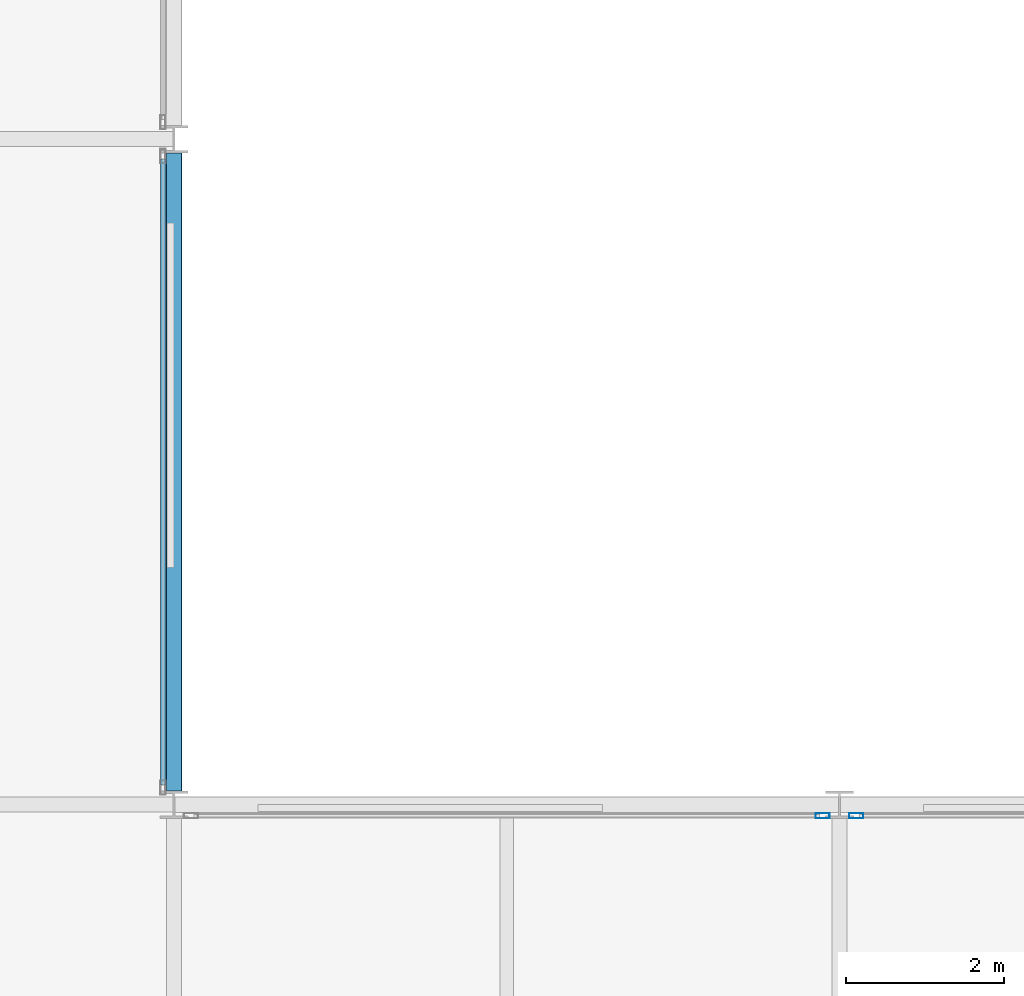
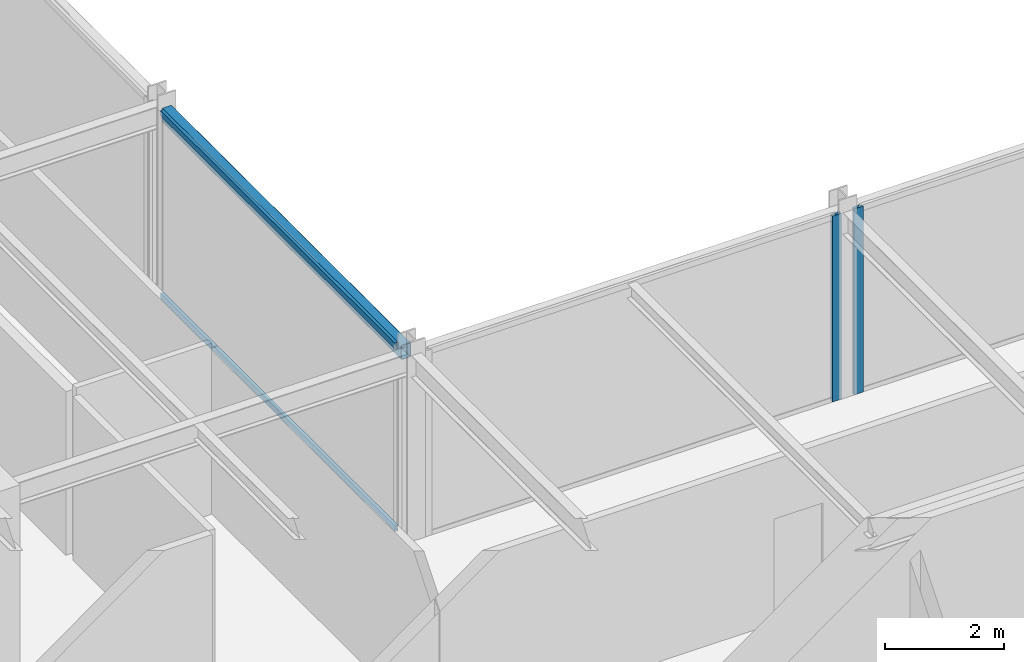
# One storey, part 15 of 29: 4 members, 1 beam, 3 elements without a shape of their own.
"""IFC4 building model written with IfcOpenShell, lengths in metres."""

import ifcopenshell
import ifcopenshell.guid

model = None  # the IFC model being written
_history = None  # IfcOwnerHistory: only IFC2X3 demands one
_inside = {}  # id of a spatial element -> (the spatial element, [elements in it])
_under = {}  # id of a project, library or spatial element -> (it, [spatial elements below it])
_declared = {}  # id of a project -> (the project, [libraries it declares])
_typed = {}  # id of a type object -> (the type object, [elements of that type])
_made_of = {}  # id of a material, layer set ... -> (it, [elements and type objects made of it])


def new_model(schema):
    """Start an empty IFC model of exactly this schema.

    Asked for "IFC4X3", IfcOpenShell would pick the latest addendum, in which some entities
    have other attributes; the version numbers below select the first issue.
    IFC2X3 requires an IfcOwnerHistory on every rooted entity: one is made here for all.
    """
    global model, _history
    if schema == "IFC4X3":
        model = ifcopenshell.file(schema_version=(4, 3, 0, 0))
    else:
        model = ifcopenshell.file(schema=schema)
    _inside.clear()
    _under.clear()
    _declared.clear()
    _typed.clear()
    _made_of.clear()
    _history = None
    if model.schema == "IFC2X3":
        org = make("IfcOrganization", Name="unknown")
        user = make(
            "IfcPersonAndOrganization",
            ThePerson=make("IfcPerson", FamilyName="unknown"),
            TheOrganization=org,
        )
        app = make(
            "IfcApplication",
            ApplicationDeveloper=org,
            Version="unknown",
            ApplicationFullName="unknown",
            ApplicationIdentifier="unknown",
        )
        _history = make(
            "IfcOwnerHistory",
            OwningUser=user,
            OwningApplication=app,
            ChangeAction="ADDED",
            CreationDate=0,
        )
    return model


def make(cls, **values):
    """One entity of the class cls with the attributes given. An attribute that is None is left unset."""
    return model.create_entity(
        cls, **{name: value for name, value in values.items() if value is not None}
    )


def rooted(cls, **values):
    """An entity with a GlobalId (a new one), such as an element, a storey or a relation."""
    return make(cls, GlobalId=ifcopenshell.guid.new(), OwnerHistory=_history, **values)


def si_unit(unit_type, name, prefix=None):
    """IfcSIUnit, for example si_unit("LENGTHUNIT", "METRE", prefix="MILLI")."""
    return make("IfcSIUnit", UnitType=unit_type, Prefix=prefix, Name=name)


def assignment(units):
    """IfcUnitAssignment: the units of a project."""
    return None if units is None else make("IfcUnitAssignment", Units=units)


def point(xyz):
    """IfcCartesianPoint."""
    return None if xyz is None else make("IfcCartesianPoint", Coordinates=xyz)


def direction(xyz):
    """IfcDirection."""
    return None if xyz is None else make("IfcDirection", DirectionRatios=xyz)


def frame(location, z_axis=None, x_axis=None):
    """IfcAxis2Placement3D, a coordinate frame: its origin and axes. An axis left out is left unset."""
    return make(
        "IfcAxis2Placement3D",
        Location=point(location),
        Axis=direction(z_axis),
        RefDirection=direction(x_axis),
    )


def frame_2d(location, x_axis=None):
    """IfcAxis2Placement2D, a coordinate frame in the plane: its origin and x axis."""
    return make(
        "IfcAxis2Placement2D", Location=point(location), RefDirection=direction(x_axis)
    )


def origin():
    """The frame at (0, 0, 0) with its axes left unset."""
    return frame((0.0, 0.0, 0.0))


def origin_2d():
    """The frame at (0, 0) in the plane with its x axis left unset."""
    return frame_2d((0.0, 0.0))


def place(relative_to, where):
    """IfcLocalPlacement: puts the frame where relative to a parent placement (None: the world)."""
    return make(
        "IfcLocalPlacement", PlacementRelTo=relative_to, RelativePlacement=where
    )


def context(
    kind, dimensions, precision=None, world=None, true_north=None, identifier=None
):
    """IfcGeometricRepresentationContext, for example the 3D "Model" context."""
    return make(
        "IfcGeometricRepresentationContext",
        ContextIdentifier=identifier,
        ContextType=kind,
        CoordinateSpaceDimension=dimensions,
        Precision=precision,
        WorldCoordinateSystem=world,
        TrueNorth=true_north,
    )


def subcontext(parent, identifier, kind, view, scale=None):
    """IfcGeometricRepresentationSubContext, for example "Body" below "Model"."""
    return make(
        "IfcGeometricRepresentationSubContext",
        ContextIdentifier=identifier,
        ContextType=kind,
        ParentContext=parent,
        TargetScale=scale,
        TargetView=view,
    )


def project(units=None, contexts=None):
    """IfcProject with its units and contexts."""
    return rooted(
        "IfcProject",
        Name="project",
        RepresentationContexts=contexts,
        UnitsInContext=assignment(units),
    )


def spatial(cls, under=None, at=None, **own):
    """A site, building, storey or space (cls), placed at a placement, below another one or the project."""
    s = rooted(cls, ObjectPlacement=at, **own)
    if under is not None:
        _under.setdefault(under.id(), (under, []))[1].append(s)
    return s


def profile(cls, at=None, kind="AREA", **sizes):
    """A parametric profile (cls). Its sizes go by their IFC names, for example OverallWidth=200.0."""
    return make(cls, ProfileType=kind, Position=at, **sizes)


def hollow_rectangle(**sizes):
    """IfcRectangleHollowProfileDef."""
    return profile("IfcRectangleHollowProfileDef", **sizes)


def extrude(swept, where, along, depth):
    """IfcExtrudedAreaSolid: the profile swept, set in the frame where, extruded along a direction by depth."""
    return make(
        "IfcExtrudedAreaSolid",
        SweptArea=swept,
        Position=where,
        ExtrudedDirection=direction(along),
        Depth=depth,
    )


def shape(context_of_items, identifier, shape_type, items):
    """IfcShapeRepresentation: the items that make up one representation, for example the "Body"."""
    return make(
        "IfcShapeRepresentation",
        ContextOfItems=context_of_items,
        RepresentationIdentifier=identifier,
        RepresentationType=shape_type,
        Items=items,
    )


def material(Name=None, Category=None):
    """IfcMaterial."""
    return make("IfcMaterial", Name=Name, Category=Category)


def layer(
    of_material, thickness, ventilated=None, Name=None, Category=None, Priority=None
):
    """IfcMaterialLayer: one layer of a wall or slab, of a material (None: an air gap)."""
    return make(
        "IfcMaterialLayer",
        Material=of_material,
        LayerThickness=thickness,
        IsVentilated=ventilated,
        Name=Name,
        Category=Category,
        Priority=Priority,
    )


def layer_set(layers, Name=None):
    """IfcMaterialLayerSet."""
    return make("IfcMaterialLayerSet", MaterialLayers=layers, LayerSetName=Name)


def material_profile(
    of_material, cross_section, Name=None, Category=None, Priority=None
):
    """IfcMaterialProfile: a cross section and its material."""
    return make(
        "IfcMaterialProfile",
        Name=Name,
        Material=of_material,
        Profile=cross_section,
        Priority=Priority,
        Category=Category,
    )


def profile_set(profiles, Name=None, composite=None):
    """IfcMaterialProfileSet."""
    return make(
        "IfcMaterialProfileSet",
        Name=Name,
        MaterialProfiles=profiles,
        CompositeProfile=composite,
    )


def made_of(thing, what):
    """Note that an element or type object is made of a material, layer set ...; save() writes the relation."""
    if what is not None:
        _made_of.setdefault(what.id(), (what, []))[1].append(thing)
    return thing


def type_object(cls, material=None, **own):
    """A type object (cls), such as IfcWallType, which elements share."""
    return made_of(rooted(cls, **own), material)


def element(
    cls,
    number,
    at=None,
    inside=None,
    cuts=None,
    type_object=None,
    material=None,
    context=None,
    identifier="Body",
    shape_type=None,
    held_by="IfcProductDefinitionShape",
    body=None,
    shapes=None,
    **own,
):
    """One element of the class cls, such as IfcWall. Its Tag is "e" and its number.

    at: its placement. inside: the storey or other place that contains it. cuts: it is an
    opening in that element (IfcRelVoidsElement). A single representation is given by context,
    identifier, shape_type and body (its items); several are given by shapes. held_by: the class
    of the entity that holds the representations. save() writes the other relations.
    """
    e = rooted(cls, Tag="e%d" % number, ObjectPlacement=at, **own)
    if body is not None:
        shapes = [shape(context, identifier, shape_type, body)]
    if shapes is not None:
        e.Representation = make(held_by, Representations=shapes)
    if inside is not None:
        _inside.setdefault(inside.id(), (inside, []))[1].append(e)
    if cuts is not None:
        rooted(
            "IfcRelVoidsElement", RelatingBuildingElement=cuts, RelatedOpeningElement=e
        )
    if type_object is not None:
        _typed.setdefault(type_object.id(), (type_object, []))[1].append(e)
    return made_of(e, material)


def aggregate(whole, parts):
    """IfcRelAggregates: a whole, such as a stair, and the parts it consists of."""
    return rooted("IfcRelAggregates", RelatingObject=whole, RelatedObjects=parts)


def save(model, path):
    """Write the relations noted so far, then the file.

    IfcRelAggregates (storeys below a building ...), IfcRelContainedInSpatialStructure (elements
    in a storey), IfcRelDefinesByType, IfcRelAssociatesMaterial and IfcRelDeclares: one each for
    every whole, place, type object, material and project.
    """
    for whole, parts in _under.values():
        aggregate(whole, parts)
    for where, things in _inside.values():
        rooted(
            "IfcRelContainedInSpatialStructure",
            RelatedElements=things,
            RelatingStructure=where,
        )
    for kind, things in _typed.values():
        rooted("IfcRelDefinesByType", RelatedObjects=things, RelatingType=kind)
    for what, things in _made_of.values():
        rooted("IfcRelAssociatesMaterial", RelatedObjects=things, RelatingMaterial=what)
    for by, libraries in _declared.values():
        rooted("IfcRelDeclares", RelatingContext=by, RelatedDefinitions=libraries)
    model.write(path)


model = new_model("IFC4")

# Units and contexts
model_context = context("Model", 3, precision=1e-05, world=origin(), true_north=direction((0.0, 1.0)))
body_context = subcontext(model_context, "Body", "Model", "MODEL_VIEW")
ifc_project = project(units=[si_unit("LENGTHUNIT", "METRE"), si_unit("AREAUNIT", "SQUARE_METRE"), si_unit("VOLUMEUNIT", "CUBIC_METRE"), si_unit("PLANEANGLEUNIT", "RADIAN"), si_unit("MASSUNIT", "GRAM", prefix="KILO")], contexts=[model_context])

# Site, building, storey
site_placement = place(None, origin())
site = spatial("IfcSite", under=ifc_project, at=site_placement, CompositionType="ELEMENT")
building_placement = place(site_placement, origin())
building = spatial("IfcBuilding", under=site, at=building_placement, Name="Nerrivon Quay Data Exchange", CompositionType="ELEMENT")
storey_placement = place(building_placement, frame((0.0, 0.0, 208.300048828125)))
storey = spatial("IfcBuildingStorey", under=building, at=storey_placement, Name="L49", CompositionType="ELEMENT", Elevation=208.300048828125)

# Beam
ifc_material_1 = material(Name="Steel Grade C350L0 (350 MPa)", Category="steel")
ifc_material_profile_1 = material_profile(ifc_material_1, hollow_rectangle(XDim=0.199951171875, YDim=0.300048828125, WallThickness=0.012451171875, InnerFilletRadius=0.018798828125, OuterFilletRadius=0.03125, at=origin_2d()), Name="300x200x12.5RHS")
ifc_profile_set_1 = profile_set([ifc_material_profile_1], Name="Steel Grade C350L0 (350 MPa)")
beam_type = type_object("IfcBeamType", Name="BM-SP3-300x200RHS", PredefinedType="SPANDREL", material=ifc_profile_set_1)
beam_placement = place(storey_placement, frame((25.199951171875, 25.375, 3.675048828125), z_axis=(0.0, 1.0, 0.0), x_axis=(-1.0, 0.0, 0.0)))
element("IfcBeam", 1, at=beam_placement, inside=storey, type_object=beam_type, Name="L49 NS Girder X=25.2 (25.2..33.6)", PredefinedType="SPANDREL", context=body_context, shape_type="SweptSolid", body=[
    extrude(hollow_rectangle(XDim=0.199951171875, YDim=0.300048828125, WallThickness=0.012451171875, InnerFilletRadius=0.018798828125, OuterFilletRadius=0.03125, at=origin_2d()), origin(), (0.0, 0.0, 1.0), 8.050048828125),
])

# Curtain wall, member
ifc_material_2 = material(Name="Anodised aluminium 6063-T6", Category="aluminium")
ifc_layer = layer(ifc_material_2, 0.195068359375)
ifc_layer_set = layer_set([ifc_layer], Name="Anodised aluminium 6063-T6")
curtain_wall_type = type_object("IfcCurtainWallType", Name="CW-SYS-06", PredefinedType="NOTDEFINED", material=ifc_layer_set)
curtain_wall_1_placement = place(storey_placement, origin())
curtain_wall_1 = element("IfcCurtainWall", 2, at=curtain_wall_1_placement, inside=storey, type_object=curtain_wall_type, Name="L49 Unitised Curtain Wall 16", PredefinedType="NOTDEFINED")
ifc_material_profile_2 = material_profile(ifc_material_2, hollow_rectangle(XDim=0.06494140625, YDim=0.179931640625, WallThickness=0.00341796875, at=origin_2d()), Name="ALU-MULL-180x65")
ifc_profile_set_2 = profile_set([ifc_material_profile_2], Name="Anodised aluminium 6063-T6")
member_type_1 = type_object("IfcMemberType", Name="CWM-180x65", PredefinedType="MULLION", material=ifc_profile_set_2)
member_1_placement = place(storey_placement, frame((33.387451171875, 25.06005859375, 0.0), z_axis=(0.0, 0.0, 1.0), x_axis=(0.0, 1.0, 0.0)))
member_1 = element("IfcMember", 3, at=member_1_placement, type_object=member_type_1, Name="CW06 mullion 2", PredefinedType="MULLION", context=body_context, shape_type="SweptSolid", body=[
    extrude(hollow_rectangle(XDim=0.06494140625, YDim=0.179931640625, WallThickness=0.00341796875, at=origin_2d()), origin(), (0.0, 0.0, 1.0), 3.824951171875),
])
aggregate(curtain_wall_1, [member_1])

curtain_wall_2_placement = place(storey_placement, origin())
curtain_wall_2 = element("IfcCurtainWall", 4, at=curtain_wall_2_placement, inside=storey, type_object=curtain_wall_type, Name="L49 Unitised Curtain Wall 17", PredefinedType="NOTDEFINED")
member_2_placement = place(storey_placement, frame((33.8125, 25.06005859375, 0.0), z_axis=(0.0, 0.0, 1.0), x_axis=(0.0, 1.0, 0.0)))
member_2 = element("IfcMember", 5, at=member_2_placement, type_object=member_type_1, Name="CW06 mullion 1", PredefinedType="MULLION", context=body_context, shape_type="SweptSolid", body=[
    extrude(hollow_rectangle(XDim=0.06494140625, YDim=0.179931640625, WallThickness=0.00341796875, at=origin_2d()), origin(), (0.0, 0.0, 1.0), 3.824951171875),
])
aggregate(curtain_wall_2, [member_2])

# Curtain wall, members
curtain_wall_3_placement = place(storey_placement, origin())
curtain_wall_3 = element("IfcCurtainWall", 6, at=curtain_wall_3_placement, inside=storey, type_object=curtain_wall_type, Name="L49 Unitised Curtain Wall 15", PredefinedType="NOTDEFINED")
ifc_material_profile_3 = material_profile(ifc_material_2, hollow_rectangle(XDim=0.06005859375, YDim=0.1201171875, WallThickness=0.003173828125, at=origin_2d()), Name="ALU-TRAN-120x60")
ifc_profile_set_3 = profile_set([ifc_material_profile_3], Name="Anodised aluminium 6063-T6")
member_type_2 = type_object("IfcMemberType", Name="CWT-120x60", PredefinedType="USERDEFINED", material=ifc_profile_set_3)
member_3_placement = place(storey_placement, frame((25.06005859375, 33.35009765625, 0.032470703125), z_axis=(0.0, -1.0, 0.0), x_axis=(1.0, 0.0, 0.0)))
member_3 = element("IfcMember", 7, at=member_3_placement, type_object=member_type_2, Name="CW06 transom 1.1", ObjectType="TRANSOM", PredefinedType="USERDEFINED", context=body_context, shape_type="SweptSolid", body=[
    extrude(hollow_rectangle(XDim=0.06005859375, YDim=0.1201171875, WallThickness=0.003173828125, at=origin_2d()), origin(), (0.0, 0.0, 1.0), 7.900146484375),
])
member_4_placement = place(storey_placement, frame((25.06005859375, 33.35009765625, 3.79248046875), z_axis=(0.0, -1.0, 0.0), x_axis=(1.0, 0.0, 0.0)))
member_4 = element("IfcMember", 8, at=member_4_placement, type_object=member_type_2, Name="CW06 transom 1.2", ObjectType="TRANSOM", PredefinedType="USERDEFINED", context=body_context, shape_type="SweptSolid", body=[
    extrude(hollow_rectangle(XDim=0.06005859375, YDim=0.1201171875, WallThickness=0.003173828125, at=origin_2d()), origin(), (0.0, 0.0, 1.0), 7.900146484375),
])
aggregate(curtain_wall_3, [member_3, member_4])

save(model, "model.ifc")
